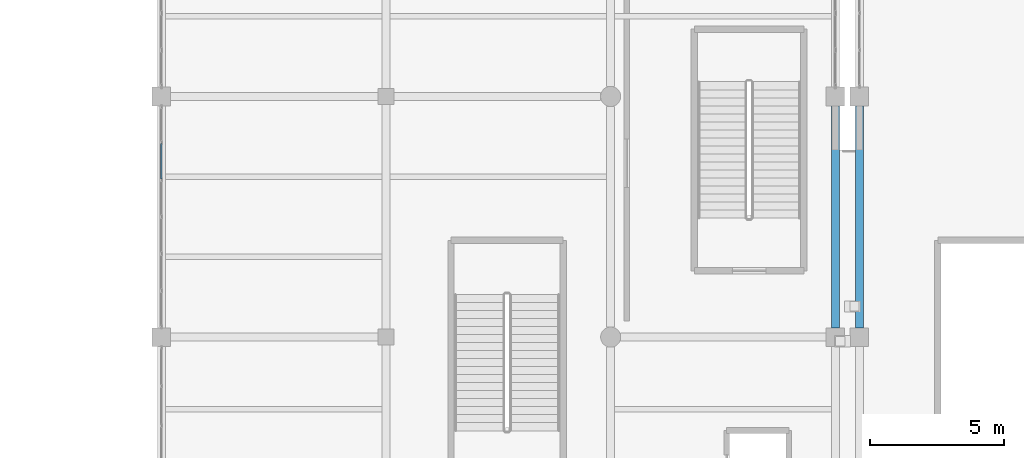
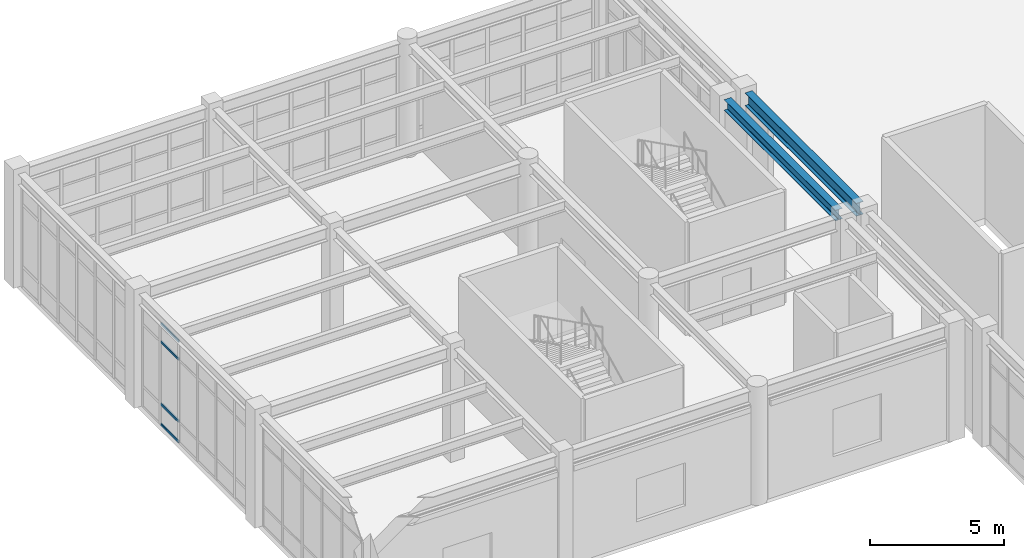
# One storey, part 38 of 80: 4 members, 2 beams, 1 element without a shape of its own.
"""IFC4 building model written with IfcOpenShell, lengths in metres."""

from ifc_helpers import new_model, si_unit, direction, frame, origin, origin_2d, place, context, subcontext, project, spatial, hollow_rectangle, i_section, extrude, material, material_profile, profile_set, type_object, element, aggregate, save


model = new_model("IFC4")

# Units and contexts
model_context = context("Model", 3, precision=1e-05, world=origin(), true_north=direction((0.0, 1.0)))
body_context = subcontext(model_context, "Body", "Model", "MODEL_VIEW")
ifc_project = project(units=[si_unit("LENGTHUNIT", "METRE"), si_unit("AREAUNIT", "SQUARE_METRE"), si_unit("VOLUMEUNIT", "CUBIC_METRE"), si_unit("PLANEANGLEUNIT", "RADIAN"), si_unit("MASSUNIT", "GRAM", prefix="KILO")], contexts=[model_context])

# Site, building, storey
site_placement = place(None, origin())
site = spatial("IfcSite", under=ifc_project, at=site_placement, CompositionType="ELEMENT")
building_placement = place(site_placement, origin())
building = spatial("IfcBuilding", under=site, at=building_placement, Name="Canglan Escarpment Cableway Terminal", CompositionType="ELEMENT")
storey_placement = place(building_placement, frame((0.0, 0.0, 19.199951171875)))
storey = spatial("IfcBuildingStorey", under=building, at=storey_placement, Name="L04", CompositionType="ELEMENT", Elevation=19.199951171875)

# Beams
ifc_material_1 = material(Name="Steel Q355B", Category="steel")
ifc_material_profile_1 = material_profile(ifc_material_1, i_section(OverallWidth=0.300048828125, OverallDepth=0.488037109375, WebThickness=0.010986328125, FlangeThickness=0.01806640625, FilletRadius=0.02587890625, at=origin_2d()), Name="HM 488x300x11x18")
ifc_profile_set_1 = profile_set([ifc_material_profile_1], Name="Steel Q355B")
beam_type_1 = type_object("IfcBeamType", Name="BM-HM488", PredefinedType="BEAM", material=ifc_profile_set_1)
beam_1_placement = place(storey_placement, frame((136.699951171875, 97.35009765625, 4.916015625), z_axis=(0.0, 1.0, 0.0), x_axis=(-1.0, 0.0, 0.0)))
element("IfcBeam", 1, at=beam_1_placement, inside=storey, type_object=beam_type_1, Name="Primary transverse girder B-09", PredefinedType="BEAM", context=body_context, shape_type="SweptSolid", body=[
    extrude(i_section(OverallWidth=0.300048828125, OverallDepth=0.488037109375, WebThickness=0.010986328125, FlangeThickness=0.01806640625, FilletRadius=0.02587890625, at=origin_2d()), origin(), (0.0, 0.0, 1.0), 8.2998046875),
])
ifc_material_2 = material(Name="Steel Q355C", Category="steel")
ifc_material_profile_2 = material_profile(ifc_material_2, i_section(OverallWidth=0.302001953125, OverallDepth=0.593994140625, WebThickness=0.013916015625, FlangeThickness=0.02294921875, FilletRadius=0.028076171875, at=origin_2d()), Name="HM 594x302x14x23")
ifc_profile_set_2 = profile_set([ifc_material_profile_2], Name="Steel Q355C")
beam_type_2 = type_object("IfcBeamType", Name="BM-HM594", PredefinedType="BEAM", material=ifc_profile_set_2)
beam_2_placement = place(storey_placement, frame((137.60009765625, 97.35009765625, 4.863037109375), z_axis=(0.0, 1.0, 0.0), x_axis=(-1.0, 0.0, 0.0)))
element("IfcBeam", 2, at=beam_2_placement, inside=storey, type_object=beam_type_2, Name="Primary transverse girder B-07", PredefinedType="BEAM", context=body_context, shape_type="SweptSolid", body=[
    extrude(i_section(OverallWidth=0.302001953125, OverallDepth=0.593994140625, WebThickness=0.013916015625, FlangeThickness=0.02294921875, FilletRadius=0.028076171875, at=origin_2d()), origin(), (0.0, 0.0, 1.0), 8.2998046875),
])

# Curtain wall, members
ifc_material_3 = material(Name="Anodized bronze aluminium and Low-E double glazing", Category="aluminium")
curtain_wall_type = type_object("IfcCurtainWallType", Name="CW-BAY-8300x4625", PredefinedType="NOTDEFINED", material=ifc_material_3)
curtain_wall_placement = place(storey_placement, origin())
curtain_wall = element("IfcCurtainWall", 3, at=curtain_wall_placement, inside=storey, type_object=curtain_wall_type, Name="Classical bay-between-piers glazed curtain wall CW-56", PredefinedType="NOTDEFINED")
ifc_material_4 = material(Name="Thermally broken anodized aluminium 6063-T6", Category="aluminium")
ifc_material_profile_3 = material_profile(ifc_material_4, hollow_rectangle(XDim=0.06005859375, YDim=0.110107421875, WallThickness=0.0029296875, InnerFilletRadius=0.0029296875, OuterFilletRadius=0.006103515625, at=origin_2d()), Name="ALU-TRAN 60x110x3")
ifc_profile_set_3 = profile_set([ifc_material_profile_3], Name="Thermally broken anodized aluminium 6063-T6")
member_type = type_object("IfcMemberType", Name="CWT-02", PredefinedType="USERDEFINED", material=ifc_profile_set_3)
member_1_placement = place(storey_placement, frame((111.5, 104.234130859375, 0.030029296875), z_axis=(0.0, -1.0, 0.0), x_axis=(1.0, 0.0, 0.0)))
member_1 = element("IfcMember", 4, at=member_1_placement, type_object=member_type, Name="CW-56 transom 2.1", ObjectType="TRANSOM", PredefinedType="USERDEFINED", context=body_context, shape_type="SweptSolid", body=[
    extrude(hollow_rectangle(XDim=0.06005859375, YDim=0.110107421875, WallThickness=0.0029296875, InnerFilletRadius=0.0029296875, OuterFilletRadius=0.006103515625, at=origin_2d()), origin(), (0.0, 0.0, 1.0), 1.318359375),
])
member_2_placement = place(storey_placement, frame((111.5, 104.234130859375, 0.949951171875), z_axis=(0.0, -1.0, 0.0), x_axis=(1.0, 0.0, 0.0)))
member_2 = element("IfcMember", 5, at=member_2_placement, type_object=member_type, Name="CW-56 transom 2.2", ObjectType="TRANSOM", PredefinedType="USERDEFINED", context=body_context, shape_type="SweptSolid", body=[
    extrude(hollow_rectangle(XDim=0.06005859375, YDim=0.110107421875, WallThickness=0.0029296875, InnerFilletRadius=0.0029296875, OuterFilletRadius=0.006103515625, at=origin_2d()), origin(), (0.0, 0.0, 1.0), 1.318359375),
])
member_3_placement = place(storey_placement, frame((111.5, 104.234130859375, 3.777099609375), z_axis=(0.0, -1.0, 0.0), x_axis=(1.0, 0.0, 0.0)))
member_3 = element("IfcMember", 6, at=member_3_placement, type_object=member_type, Name="CW-56 transom 2.3", ObjectType="TRANSOM", PredefinedType="USERDEFINED", context=body_context, shape_type="SweptSolid", body=[
    extrude(hollow_rectangle(XDim=0.06005859375, YDim=0.110107421875, WallThickness=0.0029296875, InnerFilletRadius=0.0029296875, OuterFilletRadius=0.006103515625, at=origin_2d()), origin(), (0.0, 0.0, 1.0), 1.318359375),
])
member_4_placement = place(storey_placement, frame((111.5, 104.234130859375, 4.59716796875), z_axis=(0.0, -1.0, 0.0), x_axis=(1.0, 0.0, 0.0)))
member_4 = element("IfcMember", 7, at=member_4_placement, type_object=member_type, Name="CW-56 transom 2.4", ObjectType="TRANSOM", PredefinedType="USERDEFINED", context=body_context, shape_type="SweptSolid", body=[
    extrude(hollow_rectangle(XDim=0.06005859375, YDim=0.110107421875, WallThickness=0.0029296875, InnerFilletRadius=0.0029296875, OuterFilletRadius=0.006103515625, at=origin_2d()), origin(), (0.0, 0.0, 1.0), 1.318359375),
])
aggregate(curtain_wall, [member_1, member_2, member_3, member_4])

save(model, "model.ifc")
